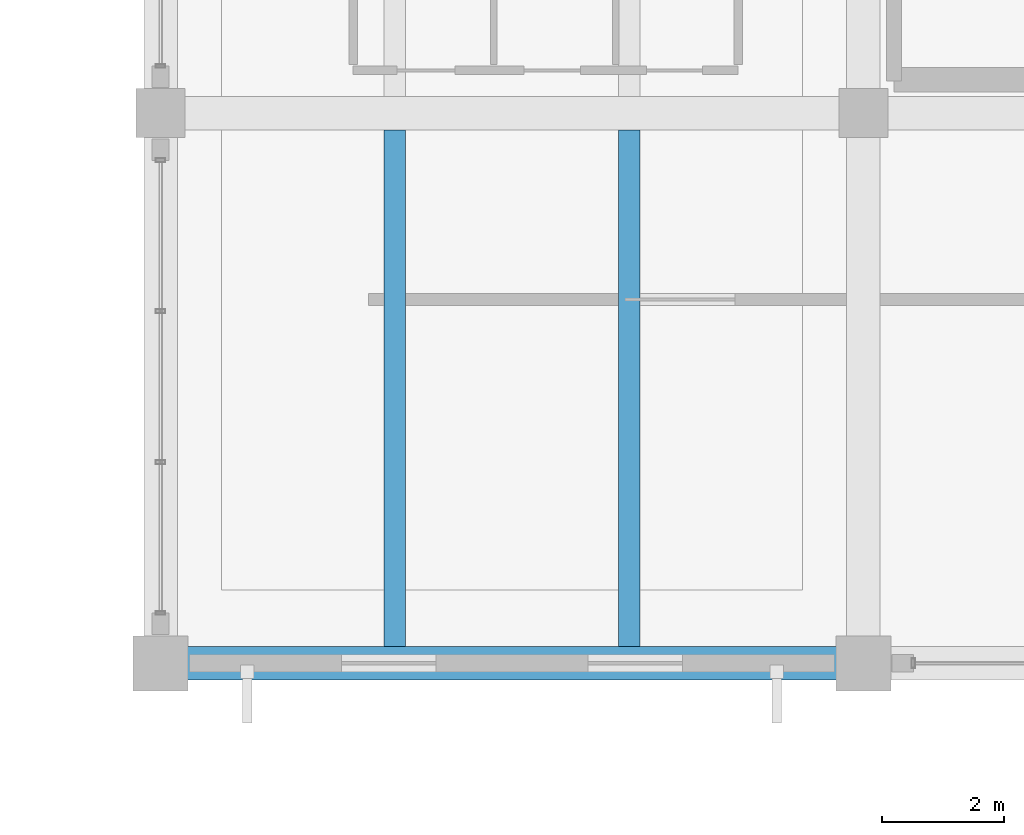
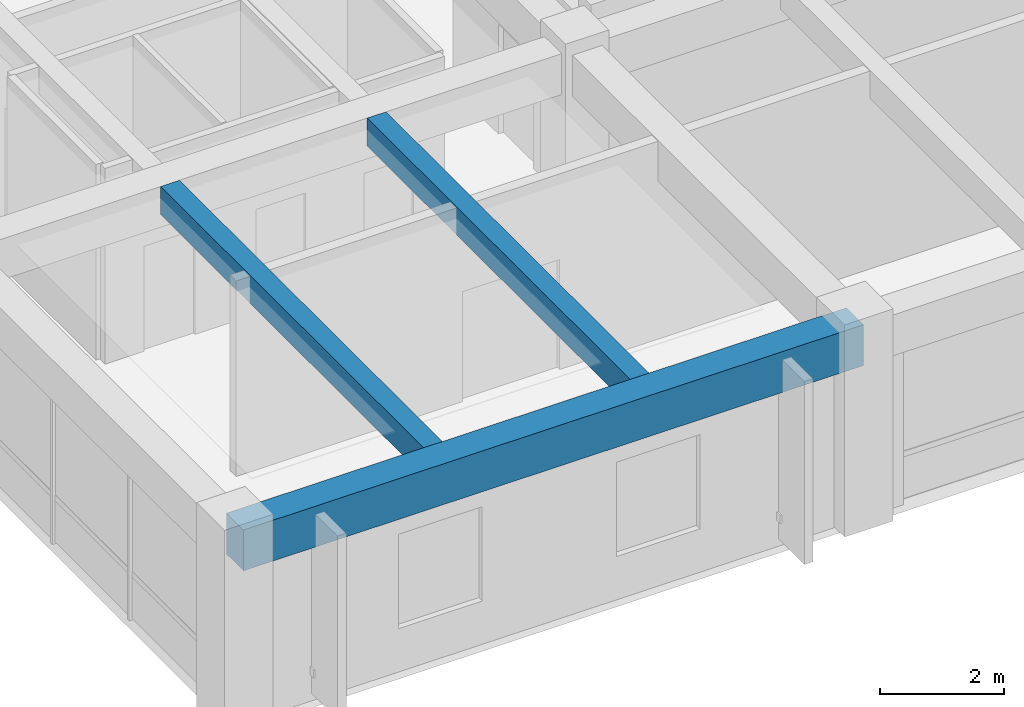
# One storey, part 10 of 33: 3 beams.
"""IFC4 building model written with IfcOpenShell, lengths in metres."""

from ifc_helpers import new_model, si_unit, direction, frame, origin, origin_2d, place, context, subcontext, project, spatial, rectangle, extrude, material, material_profile, profile_set, type_object, element, save


model = new_model("IFC4")

# Units and contexts
model_context = context("Model", 3, precision=1e-05, world=origin(), true_north=direction((0.0, 1.0)))
body_context = subcontext(model_context, "Body", "Model", "MODEL_VIEW")
ifc_project = project(units=[si_unit("LENGTHUNIT", "METRE"), si_unit("AREAUNIT", "SQUARE_METRE"), si_unit("VOLUMEUNIT", "CUBIC_METRE"), si_unit("PLANEANGLEUNIT", "RADIAN"), si_unit("MASSUNIT", "GRAM", prefix="KILO")], contexts=[model_context])

# Site, building, storey
site_placement = place(None, origin())
site = spatial("IfcSite", under=ifc_project, at=site_placement, CompositionType="ELEMENT")
building_placement = place(site_placement, origin())
building = spatial("IfcBuilding", under=site, at=building_placement, Name="Ologun Quay Terminus", CompositionType="ELEMENT")
storey_placement = place(building_placement, frame((0.0, 0.0, 18.300048828125)))
storey = spatial("IfcBuildingStorey", under=building, at=storey_placement, Name="L04", CompositionType="ELEMENT", Elevation=18.300048828125)

# Beams
ifc_material_1 = material(Name="Concrete C40/50", Category="concrete")
ifc_material_profile_1 = material_profile(ifc_material_1, rectangle(XDim=0.550048828125, YDim=0.800048828125, at=origin_2d()), Name="RC 550x800")
ifc_profile_set_1 = profile_set([ifc_material_profile_1], Name="Concrete C40/50")
beam_type_1 = type_object("IfcBeamType", Name="Courtyard Wing Primary Girder 550x800", PredefinedType="BEAM", material=ifc_profile_set_1)
beam_placement = place(storey_placement, frame((115.0, 85.800048828125, 3.5), z_axis=(1.0, 0.0, 0.0), x_axis=(0.0, 1.0, 0.0)))
element("IfcBeam", 1, at=beam_placement, inside=storey, type_object=beam_type_1, Name="B4 Beam 11/G2 L04", PredefinedType="BEAM", context=body_context, shape_type="SweptSolid", body=[
    extrude(rectangle(XDim=0.550048828125, YDim=0.800048828125, at=origin_2d()), origin(), (0.0, 0.0, 1.0), 11.5),
])
ifc_material_2 = material(Name="Concrete C40/50", Category="concrete")
ifc_material_profile_2 = material_profile(ifc_material_2, rectangle(XDim=0.35009765625, YDim=0.550048828125, at=origin_2d()), Name="RC 350x550")
ifc_profile_set_2 = profile_set([ifc_material_profile_2], Name="Concrete C40/50")
beam_type_2 = type_object("IfcBeamType", Name="Courtyard Wing Secondary Joist 350x550", PredefinedType="JOIST", material=ifc_profile_set_2)
for number, where, z_axis, x_axis, name in (
    (2, (118.833251953125, 86.074951171875, 3.625), (0.0, 1.0, 0.0), (-1.0, 0.0, 0.0), "J2 Beam 11/G2 L04"),
    (3, (122.666748046875, 86.074951171875, 3.625), (0.0, 1.0, 0.0), (-1.0, 0.0, 0.0), "J2 Beam 11/G2 L04"),
):
    element("IfcBeam", number, at=place(storey_placement, frame(where, z_axis=z_axis, x_axis=x_axis)), inside=storey, type_object=beam_type_2, Name=name, PredefinedType="JOIST", context=body_context, shape_type="SweptSolid", body=[
        extrude(rectangle(XDim=0.35009765625, YDim=0.550048828125, at=origin_2d()), origin(), (0.0, 0.0, 1.0), 8.449951171875),
    ])

save(model, "model.ifc")
